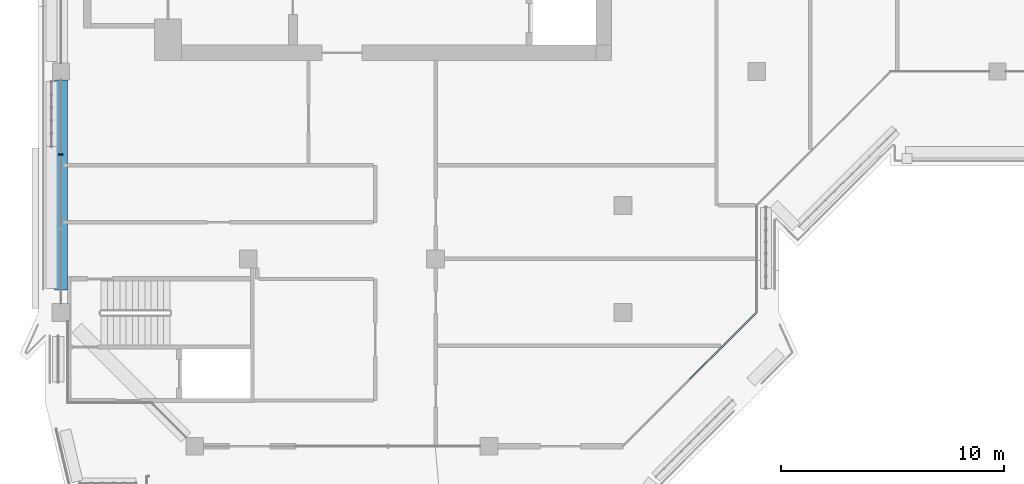
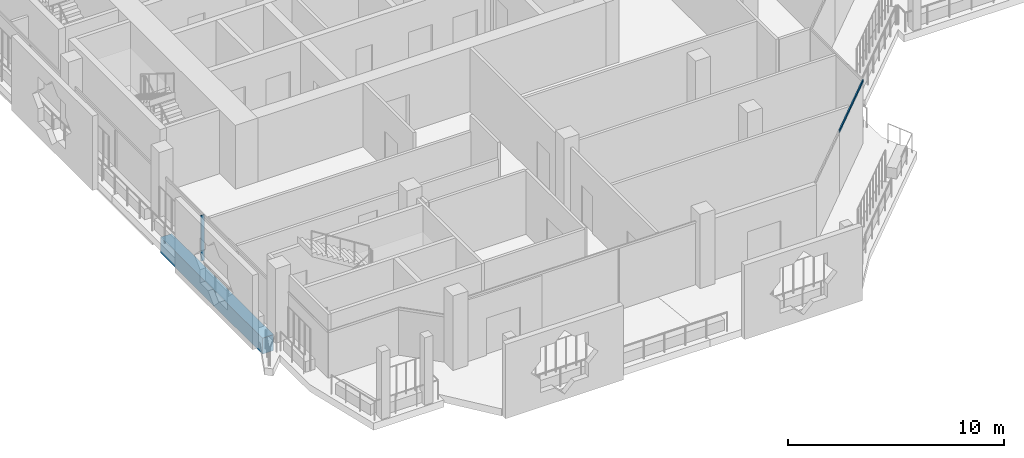
# One storey, part 3 of 22: 2 members, 1 beam, 2 elements without a shape of their own.
"""IFC4 building model written with IfcOpenShell, lengths in metres."""

from ifc_helpers import new_model, si_unit, direction, frame, origin, origin_2d, place, context, subcontext, project, spatial, rectangle, extrude, material, layer, layer_set, material_profile, profile_set, type_object, element, aggregate, save


model = new_model("IFC4")

# Units and contexts
model_context = context("Model", 3, precision=1e-05, world=origin(), true_north=direction((0.0, 1.0)))
body_context = subcontext(model_context, "Body", "Model", "MODEL_VIEW")
ifc_project = project(units=[si_unit("LENGTHUNIT", "METRE"), si_unit("AREAUNIT", "SQUARE_METRE"), si_unit("VOLUMEUNIT", "CUBIC_METRE"), si_unit("PLANEANGLEUNIT", "RADIAN"), si_unit("MASSUNIT", "GRAM", prefix="KILO")], contexts=[model_context])

# Site, building, storey
site_placement = place(None, origin())
site = spatial("IfcSite", under=ifc_project, at=site_placement, CompositionType="ELEMENT")
building_placement = place(site_placement, origin())
building = spatial("IfcBuilding", under=site, at=building_placement, Name="Kawkab Arch Medical Tower", CompositionType="ELEMENT")
storey_placement = place(building_placement, frame((0.0, 0.0, 298.60009765625)))
storey = spatial("IfcBuildingStorey", under=building, at=storey_placement, Name="L69", CompositionType="ELEMENT", Elevation=298.60009765625)

# Curtain wall, member
ifc_material_1 = material(Name="Bronze anodised aluminium curtain wall frame", Category="aluminium")
ifc_layer_1 = layer(ifc_material_1, 0.159912109375)
ifc_layer_set_1 = layer_set([ifc_layer_1], Name="Bronze anodised aluminium curtain wall frame")
curtain_wall_type_1 = type_object("IfcCurtainWallType", Name="CW1 ward curtain wall", PredefinedType="NOTDEFINED", material=ifc_layer_set_1)
placement = place(storey_placement, origin())
curtain_wall_1 = element("IfcCurtainWall", 1, at=placement, inside=storey, type_object=curtain_wall_type_1, Name="CW1 Ward curtain wall R02", PredefinedType="NOTDEFINED")
ifc_material_2 = material(Name="Bronze anodised aluminium curtain wall frame", Category="aluminium")
ifc_material_profile_1 = material_profile(ifc_material_2, rectangle(XDim=0.179931640625, YDim=0.06005859375, at=origin_2d()), Name="AL 60x180")
ifc_profile_set_1 = profile_set([ifc_material_profile_1], Name="Bronze anodised aluminium curtain wall frame")
member_type_1 = type_object("IfcMemberType", Name="CW1 mullion 60 x 180", PredefinedType="MULLION", material=ifc_profile_set_1)
member_1_placement = place(storey_placement, frame((0.0, -28.916748046875, 0.0), z_axis=(0.0, 0.0, 1.0), x_axis=(1.0, 0.0, 0.0)))
member_1 = element("IfcMember", 2, at=member_1_placement, type_object=member_type_1, Name="CW1 mullion 3.1", PredefinedType="MULLION", context=body_context, shape_type="SweptSolid", body=[
    extrude(rectangle(XDim=0.179931640625, YDim=0.06005859375, at=origin_2d()), origin(), (0.0, 0.0, 1.0), 2.579833984375),
])
aggregate(curtain_wall_1, [member_1])

ifc_material_3 = material(Name="Bronze anodised aluminium curtain wall frame", Category="aluminium")
ifc_layer_2 = layer(ifc_material_3, 0.159912109375)
ifc_layer_set_2 = layer_set([ifc_layer_2], Name="Bronze anodised aluminium curtain wall frame")
curtain_wall_type_2 = type_object("IfcCurtainWallType", Name="CW2 chamfer curtain wall", PredefinedType="NOTDEFINED", material=ifc_layer_set_2)
curtain_wall_2 = element("IfcCurtainWall", 3, at=placement, inside=storey, type_object=curtain_wall_type_2, Name="CW2 Chamfer curtain wall R08", PredefinedType="NOTDEFINED")
ifc_material_4 = material(Name="Bronze anodised aluminium curtain wall frame", Category="aluminium")
ifc_material_profile_2 = material_profile(ifc_material_4, rectangle(XDim=0.06005859375, YDim=0.139892578125, at=origin_2d()), Name="AL 60x140")
ifc_profile_set_2 = profile_set([ifc_material_profile_2], Name="Bronze anodised aluminium curtain wall frame")
member_type_2 = type_object("IfcMemberType", Name="CW2 transom 140 x 60", PredefinedType="USERDEFINED", material=ifc_profile_set_2)
member_2_placement = place(storey_placement, frame((28.199951171875, -39.0, 3.52978515625), z_axis=(0.707106781187, 0.707106781187, 0.0), x_axis=(-0.707106781187, 0.707106781187, 0.0)))
member_2 = element("IfcMember", 4, at=member_2_placement, type_object=member_type_2, Name="CW2 transom 2", ObjectType="TRANSOM", PredefinedType="USERDEFINED", context=body_context, shape_type="SweptSolid", body=[
    extrude(rectangle(XDim=0.06005859375, YDim=0.139892578125, at=origin_2d()), origin(), (0.0, 0.0, 1.0), 4.24267578125),
])
aggregate(curtain_wall_2, [member_2])

# Beam
ifc_material_5 = material(Name="Concrete C40/50", Category="concrete")
ifc_material_profile_3 = material_profile(ifc_material_5, rectangle(XDim=0.60009765625, YDim=0.89990234375, at=origin_2d()), Name="RC 600x900")
ifc_profile_set_3 = profile_set([ifc_material_profile_3], Name="Concrete C40/50")
beam_type = type_object("IfcBeamType", Name="RC 600x900 beam C40/50", PredefinedType="BEAM", material=ifc_profile_set_3)
beam_placement = place(storey_placement, frame((0.0, -35.0, -1.050048828125), z_axis=(0.0, 1.0, 0.0), x_axis=(-1.0, 0.0, 0.0)))
element("IfcBeam", 5, at=beam_placement, inside=storey, type_object=beam_type, Name="Overhang edge beam L69-03", PredefinedType="BEAM", context=body_context, shape_type="SweptSolid", body=[
    extrude(rectangle(XDim=0.60009765625, YDim=0.89990234375, at=origin_2d()), origin(), (0.0, 0.0, 1.0), 9.425048828125),
])

save(model, "model.ifc")
